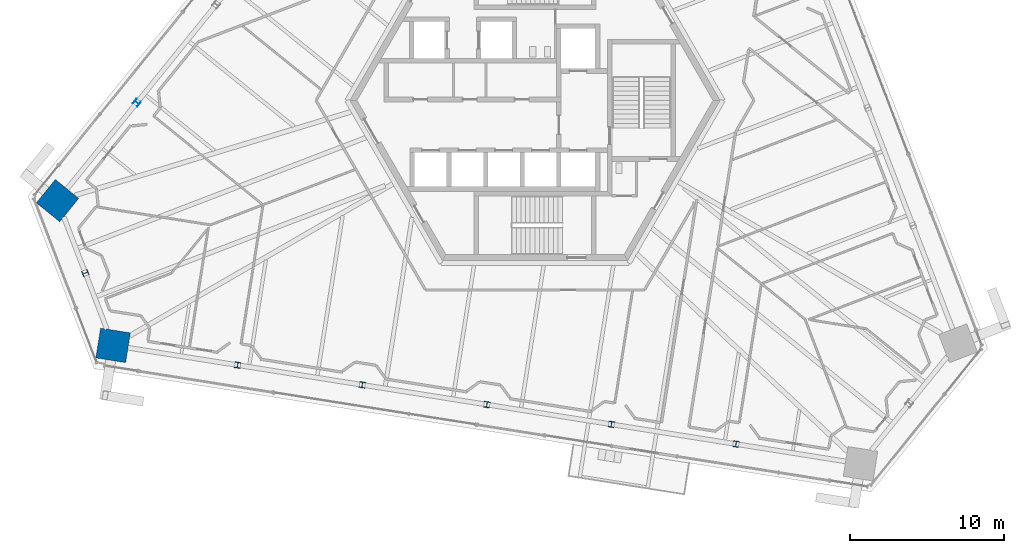
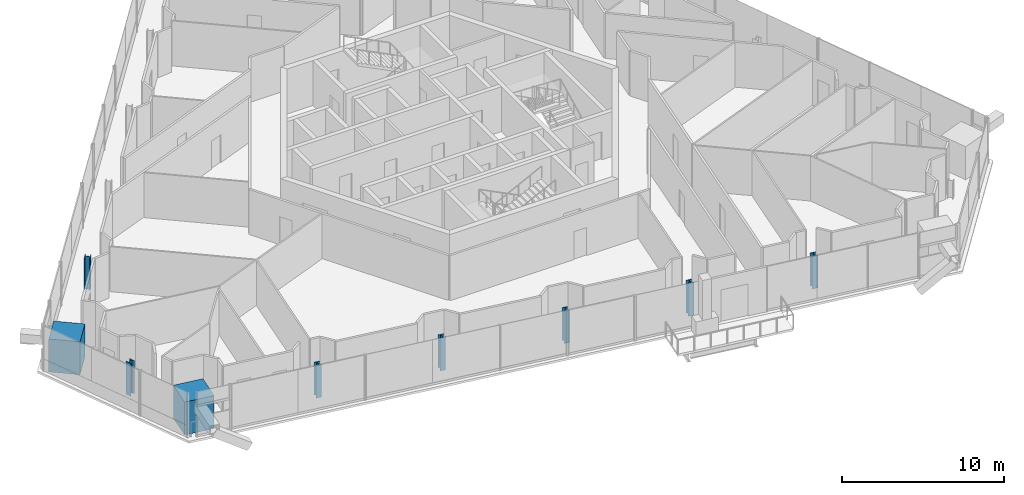
# One storey, part 1 of 23: 9 columns.
"""IFC4 building model written with IfcOpenShell, lengths in metres."""

from ifc_helpers import new_model, si_unit, direction, frame, origin, origin_2d, place, context, subcontext, project, spatial, rectangle, i_section, extrude, source, transform, mapped, material, material_profile, profile_set, type_object, element, save


model = new_model("IFC4")

# Units and contexts
model_context = context("Model", 3, precision=1e-05, world=origin(), true_north=direction((0.0, 1.0)))
body_context = subcontext(model_context, "Body", "Model", "MODEL_VIEW")
ifc_project = project(units=[si_unit("LENGTHUNIT", "METRE"), si_unit("AREAUNIT", "SQUARE_METRE"), si_unit("VOLUMEUNIT", "CUBIC_METRE"), si_unit("PLANEANGLEUNIT", "RADIAN"), si_unit("MASSUNIT", "GRAM", prefix="KILO")], contexts=[model_context])

# Site, building, storey
site_placement = place(None, origin())
site = spatial("IfcSite", under=ifc_project, at=site_placement, CompositionType="ELEMENT")
building_placement = place(site_placement, origin())
building = spatial("IfcBuilding", under=site, at=building_placement, Name="Triune Harvest Tower", CompositionType="ELEMENT")
storey_placement = place(building_placement, frame((0.0, 0.0, 171.300048828125)))
storey = spatial("IfcBuildingStorey", under=building, at=storey_placement, Name="L44", CompositionType="ELEMENT", Elevation=171.300048828125)

# Columns
ifc_material_1 = material(Name="Concrete 70 MPa", Category="concrete")
ifc_material_profile_1 = material_profile(ifc_material_1, rectangle(XDim=1.949951171875, YDim=1.949951171875, at=origin_2d()), Name="Composite 1950x1950")
ifc_profile_set_1 = profile_set([ifc_material_profile_1], Name="Concrete 70 MPa")
column_type_1 = type_object("IfcColumnType", Name="MC-4 Mega column Composite 1950x1950", PredefinedType="COLUMN", material=ifc_profile_set_1)
shared_shape_1 = source(origin(), body_context, "Body", "SweptSolid", [
    extrude(rectangle(XDim=1.949951171875, YDim=1.949951171875, at=origin_2d()), origin(), (0.0, 0.0, 1.0), 2.474853515625),
])
for number, where, z_axis, x_axis, name in (
    (1, (-30.947509765625, -6.4970703125, 0.0), (0.0, 0.0, 1.0), (-0.629321747424, -0.777144863084, 0.0), "col/L44/M14"),
    (2, (-27.345703125, -15.879638671875, 0.0), (0.0, 0.0, 1.0), (0.987688340595, -0.15643446504, 0.0), "col/L44/M16"),
):
    element("IfcColumn", number, at=place(storey_placement, frame(where, z_axis=z_axis, x_axis=x_axis)), inside=storey, type_object=column_type_1, Name=name, PredefinedType="COLUMN", context=body_context, shape_type="MappedRepresentation", body=[
        mapped(shared_shape_1, transform((0.0, 0.0, 0.0), scale=1.0)),
    ])
ifc_material_2 = material(Name="Steel ASTM A992 Gr 50", Category="steel")
ifc_material_profile_2 = material_profile(ifc_material_2, i_section(OverallWidth=0.373291015625, OverallDepth=0.373291015625, WebThickness=0.016357421875, FlangeThickness=0.026123046875, at=origin_2d()), Name="W14x132")
ifc_profile_set_2 = profile_set([ifc_material_profile_2], Name="Steel ASTM A992 Gr 50")
column_type_2 = type_object("IfcColumnType", Name="PC-4 Perimeter column W14x132", PredefinedType="COLUMN", material=ifc_profile_set_2)
shared_shape_2 = source(origin(), body_context, "Body", "SweptSolid", [
    extrude(i_section(OverallWidth=0.373291015625, OverallDepth=0.373291015625, WebThickness=0.016357421875, FlangeThickness=0.026123046875, at=origin_2d()), origin(), (0.0, 0.0, 1.0), 2.474853515625),
])
for number, where, z_axis, x_axis, name in (
    (3, (-25.802734375, -0.143798828125, 0.0), (0.0, 0.0, 1.0), (-0.629321747424, -0.777144863084, 0.0), "col/L44/P13"),
    (4, (-29.146484375, -11.188232421875, 0.0), (0.0, 0.0, 1.0), (0.35836632014, -0.933581051966, 0.0), "col/L44/P15"),
    (5, (-19.271484375, -17.158447265625, 0.0), (0.0, 0.0, 1.0), (0.987688340595, -0.15643446504, 0.0), "col/L44/P17"),
    (6, (-11.197021484375, -18.437255859375, 0.0), (0.0, 0.0, 1.0), (0.987688340595, -0.15643446504, 0.0), "col/L44/P18"),
    (7, (-3.122802734375, -19.716064453125, 0.0), (0.0, 0.0, 1.0), (0.987688340595, -0.15643446504, 0.0), "col/L44/P19"),
    (8, (4.95166015625, -20.9951171875, 0.0), (0.0, 0.0, 1.0), (0.987688340595, -0.15643446504, 0.0), "col/L44/P20"),
    (9, (13.02587890625, -22.27392578125, 0.0), (0.0, 0.0, 1.0), (0.987688340595, -0.15643446504, 0.0), "col/L44/P21"),
):
    element("IfcColumn", number, at=place(storey_placement, frame(where, z_axis=z_axis, x_axis=x_axis)), inside=storey, type_object=column_type_2, Name=name, PredefinedType="COLUMN", context=body_context, shape_type="MappedRepresentation", body=[
        mapped(shared_shape_2, transform((0.0, 0.0, 0.0), scale=1.0)),
    ])

save(model, "model.ifc")
